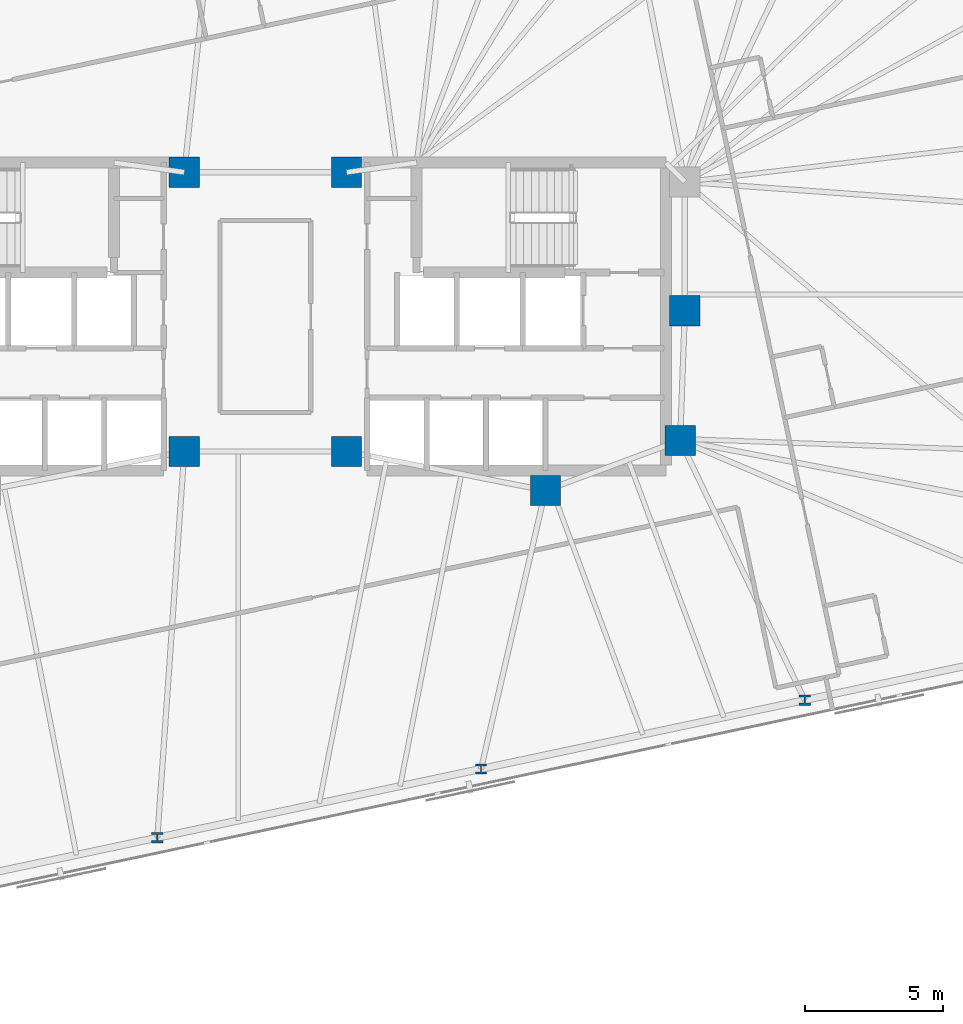
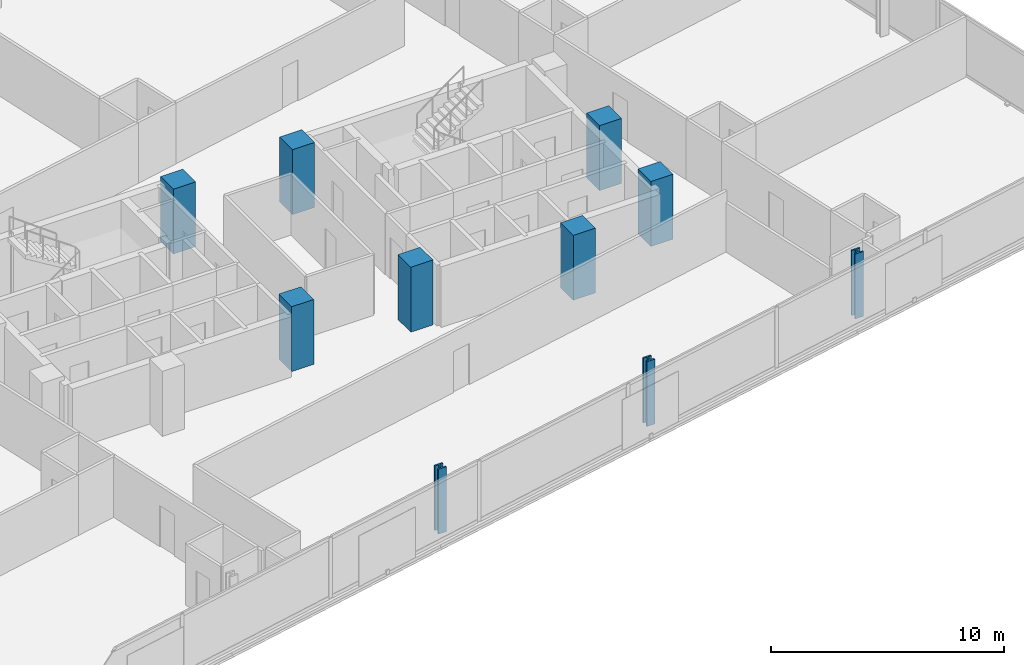
# One storey, part 3 of 19: 10 columns.
"""IFC4 building model written with IfcOpenShell, lengths in metres."""

from ifc_helpers import new_model, si_unit, direction, frame, origin, origin_2d, place, context, subcontext, project, spatial, rectangle, i_section, extrude, material, material_profile, profile_set, type_object, element, save


model = new_model("IFC4")

# Units and contexts
model_context = context("Model", 3, precision=1e-05, world=origin(), true_north=direction((0.0, 1.0)))
body_context = subcontext(model_context, "Body", "Model", "MODEL_VIEW")
ifc_project = project(units=[si_unit("LENGTHUNIT", "METRE"), si_unit("AREAUNIT", "SQUARE_METRE"), si_unit("VOLUMEUNIT", "CUBIC_METRE"), si_unit("PLANEANGLEUNIT", "RADIAN"), si_unit("MASSUNIT", "GRAM", prefix="KILO")], contexts=[model_context])

# Site, building, storey
site_placement = place(None, origin())
site = spatial("IfcSite", under=ifc_project, at=site_placement, CompositionType="ELEMENT")
building_placement = place(site_placement, origin())
building = spatial("IfcBuilding", under=site, at=building_placement, Name="Menara Jurai Vektor", CompositionType="ELEMENT")
storey_placement = place(building_placement, frame((0.0, 0.0, 171.800048828125)))
storey = spatial("IfcBuildingStorey", under=building, at=storey_placement, Name="L44", CompositionType="ELEMENT", Elevation=171.800048828125)

# Columns
ifc_material_1 = material(Name="Concrete C50/60", Category="concrete")
ifc_material_profile_1 = material_profile(ifc_material_1, rectangle(XDim=1.10009765625, YDim=1.10009765625, at=origin_2d()), Name="RC 1100x1100")
ifc_profile_set_1 = profile_set([ifc_material_profile_1], Name="Concrete C50/60")
column_type_1 = type_object("IfcColumnType", Name="STR-COL-RC1100", PredefinedType="COLUMN", material=ifc_profile_set_1)
for number, where, z_axis, x_axis, name in (
    (1, (-2.949951171875, -4.89990234375, 0.0), (0.0, 0.0, 1.0), (1.0, 0.0, 0.0), "Core Spine Column CW-SE L44"),
    (2, (-2.949951171875, 5.25, 0.0), (0.0, 0.0, 1.0), (1.0, 0.0, 0.0), "Core Spine Column CW-NE L44"),
    (3, (15.25, 0.219970703125, 0.0), (0.0, 0.0, 1.0), (1.0, 0.0, 0.0), "Core Spine Column CE-EM L44"),
    (4, (15.080078125, -4.5, 0.0), (0.0, 0.0, 1.0), (1.0, 0.0, 0.0), "Core Spine Column CE-SE L44"),
    (5, (10.179931640625, -6.320068359375, 0.0), (0.0, 0.0, 1.0), (1.0, 0.0, 0.0), "Core Spine Column CE-SM L44"),
    (6, (2.949951171875, -4.89990234375, 0.0), (0.0, 0.0, 1.0), (1.0, 0.0, 0.0), "Core Spine Column CE-SW L44"),
    (7, (2.949951171875, 5.25, 0.0), (0.0, 0.0, 1.0), (1.0, 0.0, 0.0), "Core Spine Column CE-NW L44"),
):
    element("IfcColumn", number, at=place(storey_placement, frame(where, z_axis=z_axis, x_axis=x_axis)), inside=storey, type_object=column_type_1, Name=name, PredefinedType="COLUMN", context=body_context, shape_type="SweptSolid", body=[
        extrude(rectangle(XDim=1.10009765625, YDim=1.10009765625, at=origin_2d()), origin(), (0.0, 0.0, 1.0), 3.39990234375),
    ])
ifc_material_2 = material(Name="Steel S460", Category="steel")
ifc_material_profile_2 = material_profile(ifc_material_2, i_section(OverallWidth=0.408935546875, OverallDepth=0.3740234375, WebThickness=0.048095703125, FlangeThickness=0.076904296875, FilletRadius=0.014892578125, at=origin_2d()), Name="HD 400x634")
ifc_profile_set_2 = profile_set([ifc_material_profile_2], Name="Steel S460")
column_type_2 = type_object("IfcColumnType", Name="STR-EXO-BLK3", PredefinedType="COLUMN", material=ifc_profile_set_2)
for number, where, z_axis, x_axis, name in (
    (8, (-3.928466796875, -18.94287109375, 0.0), (0.0, 0.0, 1.0), (1.0, 0.0, 0.0), "Exoskeleton Column BLK3-S3 L44"),
    (9, (7.83984375, -16.44140625, 0.0), (0.0, 0.0, 1.0), (1.0, 0.0, 0.0), "Exoskeleton Column BLK3-S4 L44"),
    (10, (19.608154296875, -13.940185546875, 0.0), (0.0, 0.0, 1.0), (1.0, 0.0, 0.0), "Exoskeleton Column BLK3-S5 L44"),
):
    element("IfcColumn", number, at=place(storey_placement, frame(where, z_axis=z_axis, x_axis=x_axis)), inside=storey, type_object=column_type_2, Name=name, PredefinedType="COLUMN", context=body_context, shape_type="SweptSolid", body=[
        extrude(i_section(OverallWidth=0.408935546875, OverallDepth=0.3740234375, WebThickness=0.048095703125, FlangeThickness=0.076904296875, FilletRadius=0.014892578125, at=origin_2d()), origin(), (0.0, 0.0, 1.0), 3.39990234375),
    ])

save(model, "model.ifc")
